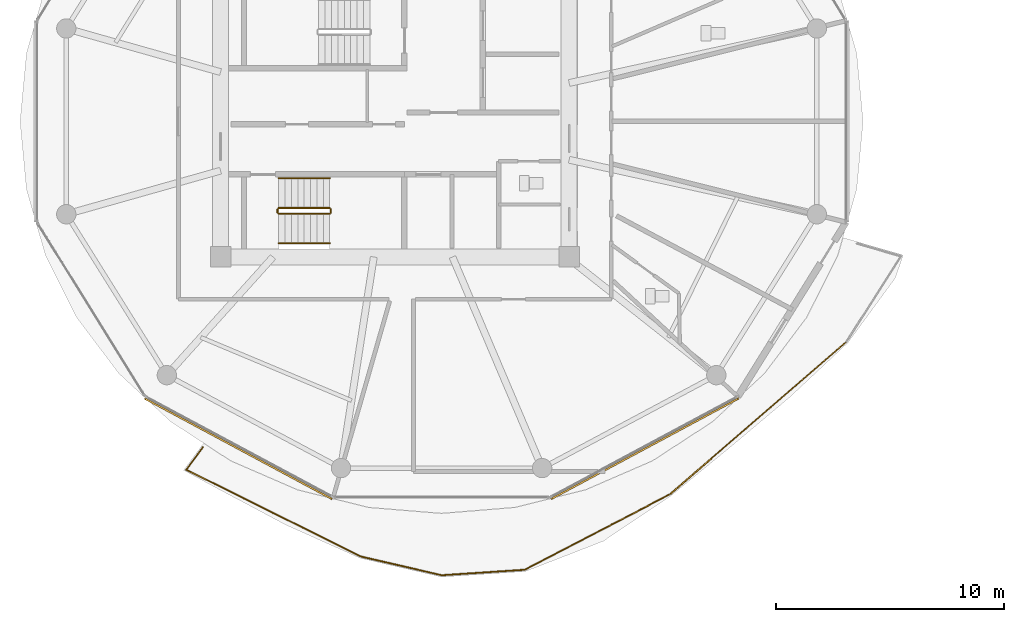
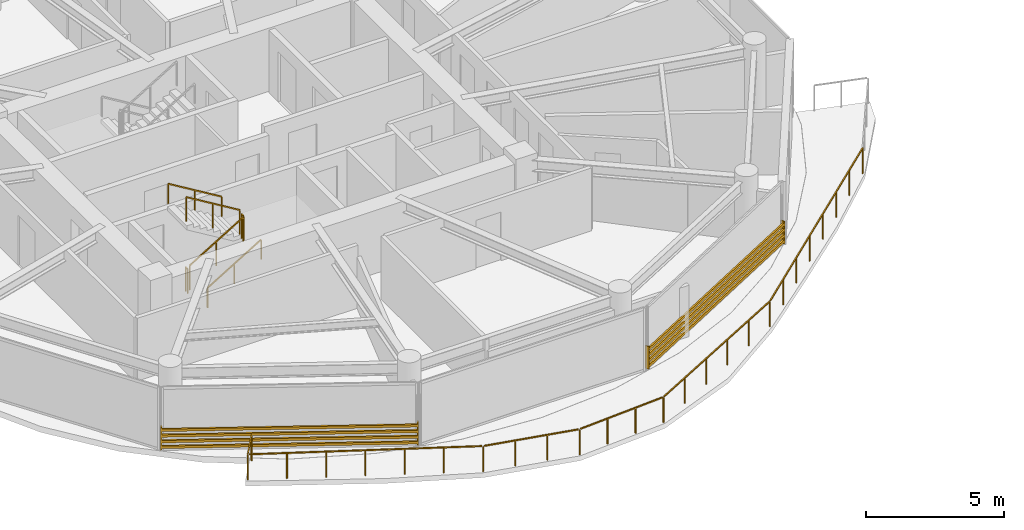
# One storey, part 19 of 24: 7 railings, 2 shading devices.
"""IFC4 building model written with IfcOpenShell, lengths in metres."""

from ifc_helpers import new_model, si_unit, direction, frame, origin, origin_2d, place, context, subcontext, project, spatial, rectangle, extrude, source, transform, mapped, material, type_object, type_shapes, element, save


model = new_model("IFC4")

# Units and contexts
model_context = context("Model", 3, precision=1e-05, world=origin(), true_north=direction((0.0, 1.0)))
body_context = subcontext(model_context, "Body", "Model", "MODEL_VIEW")
ifc_project = project(units=[si_unit("LENGTHUNIT", "METRE"), si_unit("AREAUNIT", "SQUARE_METRE"), si_unit("VOLUMEUNIT", "CUBIC_METRE"), si_unit("PLANEANGLEUNIT", "RADIAN"), si_unit("MASSUNIT", "GRAM", prefix="KILO")], contexts=[model_context])

# Site, building, storey
site_placement = place(None, origin())
site = spatial("IfcSite", under=ifc_project, at=site_placement, CompositionType="ELEMENT")
building_placement = place(site_placement, origin())
building = spatial("IfcBuilding", under=site, at=building_placement, Name="Norrkilde Senior Care Towers", CompositionType="ELEMENT")
storey_placement = place(building_placement, frame((0.0, 0.0, 114.550048828125)))
storey = spatial("IfcBuildingStorey", under=building, at=storey_placement, Name="L35", CompositionType="ELEMENT", Elevation=114.550048828125)

# Railings
ifc_material_1 = material(Name="Anodised Aluminium", Category="aluminium")
railing_type_1 = type_object("IfcRailingType", Name="Balcony Swirl Ribbon Guardrail 1150", PredefinedType="GUARDRAIL", material=ifc_material_1)
railing_1_placement = place(storey_placement, frame((-8.183349609375, -9.667724609375, 0.0)))
element("IfcRailing", 1, at=railing_1_placement, inside=storey, type_object=railing_type_1, Name="L35 Perimeter Safety Guard 03", PredefinedType="GUARDRAIL", context=body_context, shape_type="SweptSolid", body=[
    extrude(rectangle(XDim=0.048095703125, YDim=0.048095703125, at=origin_2d()), frame((0.0, 0.0, 1.1259765625), z_axis=(-0.756449604016, -0.65405198309, 0.0), x_axis=(0.65405198309, -0.756449604016, 0.0)), (0.0, 0.0, 1.0), 10.194580078125),
    extrude(rectangle(XDim=0.048095703125, YDim=0.048095703125, at=origin_2d()), frame((-7.779052734375, -6.71337890625, 1.1259765625), z_axis=(-0.887107067498, -0.461563701773, 0.0), x_axis=(0.461563701773, -0.887107067498, 0.0)), (0.0, 0.0, 1.0), 7.095947265625),
    extrude(rectangle(XDim=0.048095703125, YDim=0.048095703125, at=origin_2d()), frame((-14.15087890625, -10.01025390625, 1.1259765625), z_axis=(-0.997840916073, -0.065677288389, 0.0), x_axis=(0.065677288389, -0.997840916073, 0.0)), (0.0, 0.0, 1.0), 3.575927734375),
    extrude(rectangle(XDim=0.048095703125, YDim=0.048095703125, at=origin_2d()), frame((-17.7998046875, -10.238525390625, 1.1259765625), z_axis=(-0.974276177623, 0.225357337834, 0.0), x_axis=(-0.225357337834, -0.974276177623, 0.0)), (0.0, 0.0, 1.0), 3.5712890625),
    extrude(rectangle(XDim=0.048095703125, YDim=0.048095703125, at=origin_2d()), frame((-21.355712890625, -9.40625, 1.1259765625), z_axis=(-0.895151711702, 0.445761610098, 0.0), x_axis=(-0.445761610098, -0.895151711702, 0.0)), (0.0, 0.0, 1.0), 8.46337890625),
    extrude(rectangle(XDim=0.048095703125, YDim=0.048095703125, at=origin_2d()), frame((-28.94384765625, -5.58251953125, 1.1259765625), z_axis=(0.59453833612, 0.804067265149, 0.0), x_axis=(-0.804067265149, 0.59453833612, 0.0)), (0.0, 0.0, 1.0), 1.1708984375),
    extrude(rectangle(XDim=0.0419921875, YDim=0.0419921875, at=origin_2d()), origin(), (0.0, 0.0, 1.0), 1.099853515625),
    extrude(rectangle(XDim=0.0419921875, YDim=0.0419921875, at=origin_2d()), frame((-1.106201171875, -0.956298828125, 0.0)), (0.0, 0.0, 1.0), 1.099853515625),
    extrude(rectangle(XDim=0.0419921875, YDim=0.0419921875, at=origin_2d()), frame((-2.212158203125, -1.912841796875, 0.0)), (0.0, 0.0, 1.0), 1.099853515625),
    extrude(rectangle(XDim=0.0419921875, YDim=0.0419921875, at=origin_2d()), frame((-3.318359375, -2.869140625, 0.0)), (0.0, 0.0, 1.0), 1.099853515625),
    extrude(rectangle(XDim=0.0419921875, YDim=0.0419921875, at=origin_2d()), frame((-4.42431640625, -3.825439453125, 0.0)), (0.0, 0.0, 1.0), 1.099853515625),
    extrude(rectangle(XDim=0.0419921875, YDim=0.0419921875, at=origin_2d()), frame((-5.530517578125, -4.78173828125, 0.0)), (0.0, 0.0, 1.0), 1.099853515625),
    extrude(rectangle(XDim=0.0419921875, YDim=0.0419921875, at=origin_2d()), frame((-6.636474609375, -5.73828125, 0.0)), (0.0, 0.0, 1.0), 1.099853515625),
    extrude(rectangle(XDim=0.0419921875, YDim=0.0419921875, at=origin_2d()), frame((-7.74267578125, -6.694580078125, 0.0)), (0.0, 0.0, 1.0), 1.099853515625),
    extrude(rectangle(XDim=0.0419921875, YDim=0.0419921875, at=origin_2d()), frame((-9.01611328125, -7.357177734375, 0.0)), (0.0, 0.0, 1.0), 1.099853515625),
    extrude(rectangle(XDim=0.0419921875, YDim=0.0419921875, at=origin_2d()), frame((-10.28955078125, -8.019775390625, 0.0)), (0.0, 0.0, 1.0), 1.099853515625),
    extrude(rectangle(XDim=0.0419921875, YDim=0.0419921875, at=origin_2d()), frame((-11.563232421875, -8.682373046875, 0.0)), (0.0, 0.0, 1.0), 1.099853515625),
    extrude(rectangle(XDim=0.0419921875, YDim=0.0419921875, at=origin_2d()), frame((-12.836669921875, -9.344970703125, 0.0)), (0.0, 0.0, 1.0), 1.099853515625),
    extrude(rectangle(XDim=0.0419921875, YDim=0.0419921875, at=origin_2d()), frame((-14.110107421875, -10.007568359375, 0.0)), (0.0, 0.0, 1.0), 1.099853515625),
    extrude(rectangle(XDim=0.0419921875, YDim=0.0419921875, at=origin_2d()), frame((-15.32666015625, -10.087646484375, 0.0)), (0.0, 0.0, 1.0), 1.099853515625),
    extrude(rectangle(XDim=0.0419921875, YDim=0.0419921875, at=origin_2d()), frame((-16.54345703125, -10.167724609375, 0.0)), (0.0, 0.0, 1.0), 1.099853515625),
    extrude(rectangle(XDim=0.0419921875, YDim=0.0419921875, at=origin_2d()), frame((-17.760009765625, -10.247802734375, 0.0)), (0.0, 0.0, 1.0), 1.099853515625),
    extrude(rectangle(XDim=0.0419921875, YDim=0.0419921875, at=origin_2d()), frame((-18.9462890625, -9.973388671875, 0.0)), (0.0, 0.0, 1.0), 1.099853515625),
    extrude(rectangle(XDim=0.0419921875, YDim=0.0419921875, at=origin_2d()), frame((-20.1328125, -9.698974609375, 0.0)), (0.0, 0.0, 1.0), 1.099853515625),
    extrude(rectangle(XDim=0.0419921875, YDim=0.0419921875, at=origin_2d()), frame((-21.319091796875, -9.424560546875, 0.0)), (0.0, 0.0, 1.0), 1.099853515625),
    extrude(rectangle(XDim=0.0419921875, YDim=0.0419921875, at=origin_2d()), frame((-22.593994140625, -8.789794921875, 0.0)), (0.0, 0.0, 1.0), 1.099853515625),
    extrude(rectangle(XDim=0.0419921875, YDim=0.0419921875, at=origin_2d()), frame((-23.868896484375, -8.15478515625, 0.0)), (0.0, 0.0, 1.0), 1.099853515625),
    extrude(rectangle(XDim=0.0419921875, YDim=0.0419921875, at=origin_2d()), frame((-25.1435546875, -7.52001953125, 0.0)), (0.0, 0.0, 1.0), 1.099853515625),
    extrude(rectangle(XDim=0.0419921875, YDim=0.0419921875, at=origin_2d()), frame((-26.41845703125, -6.88525390625, 0.0)), (0.0, 0.0, 1.0), 1.099853515625),
    extrude(rectangle(XDim=0.0419921875, YDim=0.0419921875, at=origin_2d()), frame((-27.693359375, -6.250244140625, 0.0)), (0.0, 0.0, 1.0), 1.099853515625),
    extrude(rectangle(XDim=0.0419921875, YDim=0.0419921875, at=origin_2d()), frame((-28.96826171875, -5.615478515625, 0.0)), (0.0, 0.0, 1.0), 1.099853515625),
    extrude(rectangle(XDim=0.0419921875, YDim=0.0419921875, at=origin_2d()), frame((-28.247802734375, -4.64111328125, 0.0)), (0.0, 0.0, 1.0), 1.099853515625),
])
ifc_material_2 = material(Name="Stainless Steel", Category="steel")
railing_type_2 = type_object("IfcRailingType", Name="Stair and Terrace Guardrail 1100", PredefinedType="GUARDRAIL", material=ifc_material_2)
railing_2_placement = place(storey_placement, frame((-33.10009765625, -4.050048828125, 0.16943359375)))
element("IfcRailing", 2, at=railing_2_placement, inside=storey, type_object=railing_type_2, Name="L35 ST-W2 stair guard 1", PredefinedType="GUARDRAIL", context=body_context, shape_type="SweptSolid", body=[
    extrude(rectangle(XDim=0.048095703125, YDim=0.048095703125, at=origin_2d()), frame((0.0, 0.0, 1.076171875), z_axis=(0.855553338991, 0.0, 0.51771467445), x_axis=(0.0, 1.0, 0.0)), (0.0, 0.0, 1.0), 2.6181640625),
    extrude(rectangle(XDim=0.0419921875, YDim=0.0419921875, at=origin_2d()), origin(), (0.0, 0.0, 1.0), 1.050048828125),
    extrude(rectangle(XDim=0.0419921875, YDim=0.0419921875, at=origin_2d()), frame((1.1201171875, 0.0, 0.677734375)), (0.0, 0.0, 1.0), 1.050048828125),
    extrude(rectangle(XDim=0.0419921875, YDim=0.0419921875, at=origin_2d()), frame((2.239990234375, 0.0, 1.35546875)), (0.0, 0.0, 1.0), 1.050048828125),
])
railing_3_placement = place(storey_placement, frame((-30.81005859375, -4.0, 1.52490234375)))
element("IfcRailing", 3, at=railing_3_placement, inside=storey, type_object=railing_type_2, Name="L35 ST-W2 stair guard 2", PredefinedType="GUARDRAIL", context=body_context, shape_type="SweptSolid", body=[
    extrude(rectangle(XDim=0.048095703125, YDim=0.048095703125, at=origin_2d()), frame((0.0, 0.0, 1.076171875), z_axis=(0.0, 1.0, 0.0), x_axis=(-1.0, 0.0, 0.0)), (0.0, 0.0, 1.0), 0.14990234375),
    extrude(rectangle(XDim=0.0419921875, YDim=0.0419921875, at=origin_2d()), origin(), (0.0, 0.0, 1.0), 1.050048828125),
    extrude(rectangle(XDim=0.0419921875, YDim=0.0419921875, at=origin_2d()), frame((0.0, 0.14990234375, 0.0)), (0.0, 0.0, 1.0), 1.050048828125),
])
railing_4_placement = place(storey_placement, frame((-30.860107421875, -3.800048828125, 1.6943359375)))
element("IfcRailing", 4, at=railing_4_placement, inside=storey, type_object=railing_type_2, Name="L35 ST-W2 stair guard 3", PredefinedType="GUARDRAIL", context=body_context, shape_type="SweptSolid", body=[
    extrude(rectangle(XDim=0.048095703125, YDim=0.048095703125, at=origin_2d()), frame((0.0, 0.0, 1.076171875), z_axis=(-0.855512035549, 0.0, 0.517782924622), x_axis=(0.0, -1.0, 0.0)), (0.0, 0.0, 1.0), 2.618408203125),
    extrude(rectangle(XDim=0.0419921875, YDim=0.0419921875, at=origin_2d()), origin(), (0.0, 0.0, 1.0), 1.050048828125),
    extrude(rectangle(XDim=0.0419921875, YDim=0.0419921875, at=origin_2d()), frame((-1.1201171875, 0.0, 0.677734375)), (0.0, 0.0, 1.0), 1.050048828125),
    extrude(rectangle(XDim=0.0419921875, YDim=0.0419921875, at=origin_2d()), frame((-2.239990234375, 0.0, 1.355712890625)), (0.0, 0.0, 1.0), 1.050048828125),
])
railing_5_placement = place(storey_placement, frame((-33.14990234375, -4.0, 0.0)))
element("IfcRailing", 5, at=railing_5_placement, inside=storey, type_object=railing_type_2, Name="L35 ST-W2 stair guard 4", PredefinedType="GUARDRAIL", context=body_context, shape_type="SweptSolid", body=[
    extrude(rectangle(XDim=0.048095703125, YDim=0.048095703125, at=origin_2d()), frame((0.0, 0.0, 1.076171875), z_axis=(0.0, 1.0, 0.0), x_axis=(-1.0, 0.0, 0.0)), (0.0, 0.0, 1.0), 0.14990234375),
    extrude(rectangle(XDim=0.0419921875, YDim=0.0419921875, at=origin_2d()), origin(), (0.0, 0.0, 1.0), 1.050048828125),
    extrude(rectangle(XDim=0.0419921875, YDim=0.0419921875, at=origin_2d()), frame((0.0, 0.14990234375, 0.0)), (0.0, 0.0, 1.0), 1.050048828125),
])
ifc_material_3 = material(Name="Nordic Ash Timber", Category="wood")
railing_type_3 = type_object("IfcRailingType", Name="Wall and Stair Handrail 900", PredefinedType="HANDRAIL", material=ifc_material_3)
railing_6_placement = place(storey_placement, frame((-33.10009765625, -5.35009765625, 0.16943359375)))
element("IfcRailing", 6, at=railing_6_placement, inside=storey, type_object=railing_type_3, Name="L35 ST-W2 stair handrail 1", PredefinedType="HANDRAIL", context=body_context, shape_type="SweptSolid", body=[
    extrude(rectangle(XDim=0.048095703125, YDim=0.048095703125, at=origin_2d()), frame((0.0, 0.0, 0.8759765625), z_axis=(0.855553338991, 0.0, 0.51771467445), x_axis=(0.0, 1.0, 0.0)), (0.0, 0.0, 1.0), 2.6181640625),
    extrude(rectangle(XDim=0.0419921875, YDim=0.0419921875, at=origin_2d()), origin(), (0.0, 0.0, 1.0), 0.849853515625),
    extrude(rectangle(XDim=0.0419921875, YDim=0.0419921875, at=origin_2d()), frame((1.1201171875, 0.0, 0.677734375)), (0.0, 0.0, 1.0), 0.849853515625),
    extrude(rectangle(XDim=0.0419921875, YDim=0.0419921875, at=origin_2d()), frame((2.239990234375, 0.0, 1.35546875)), (0.0, 0.0, 1.0), 0.849853515625),
])
railing_7_placement = place(storey_placement, frame((-30.860107421875, -2.5, 1.6943359375)))
element("IfcRailing", 7, at=railing_7_placement, inside=storey, type_object=railing_type_3, Name="L35 ST-W2 stair handrail 2", PredefinedType="HANDRAIL", context=body_context, shape_type="SweptSolid", body=[
    extrude(rectangle(XDim=0.048095703125, YDim=0.048095703125, at=origin_2d()), frame((0.0, 0.0, 0.8759765625), z_axis=(-0.855512035549, 0.0, 0.517782924622), x_axis=(0.0, -1.0, 0.0)), (0.0, 0.0, 1.0), 2.618408203125),
    extrude(rectangle(XDim=0.0419921875, YDim=0.0419921875, at=origin_2d()), origin(), (0.0, 0.0, 1.0), 0.849853515625),
    extrude(rectangle(XDim=0.0419921875, YDim=0.0419921875, at=origin_2d()), frame((-1.1201171875, 0.0, 0.677734375)), (0.0, 0.0, 1.0), 0.849853515625),
    extrude(rectangle(XDim=0.0419921875, YDim=0.0419921875, at=origin_2d()), frame((-2.239990234375, 0.0, 1.355712890625)), (0.0, 0.0, 1.0), 0.849853515625),
])

# Shading devices
ifc_material_4 = material(Name="Architectural Terracotta", Category="masonry")
shading_device_type = type_object("IfcShadingDeviceType", Name="Horizontal Terracotta Baguette Rack", PredefinedType="USERDEFINED", material=ifc_material_4)
shared_shape = source(origin(), body_context, "Body", "SweptSolid", [
    extrude(rectangle(XDim=0.070068359375, YDim=0.110107421875, at=origin_2d()), frame((0.0, 0.090087890625, 0.125), z_axis=(1.0, 0.0, 0.0), x_axis=(0.0, 1.0, 0.0)), (0.0, 0.0, 1.0), 9.3505859375),
    extrude(rectangle(XDim=0.070068359375, YDim=0.110107421875, at=origin_2d()), frame((0.0, 0.090087890625, 0.375), z_axis=(1.0, 0.0, 0.0), x_axis=(0.0, 1.0, 0.0)), (0.0, 0.0, 1.0), 9.3505859375),
    extrude(rectangle(XDim=0.070068359375, YDim=0.110107421875, at=origin_2d()), frame((0.0, 0.090087890625, 0.625), z_axis=(1.0, 0.0, 0.0), x_axis=(0.0, 1.0, 0.0)), (0.0, 0.0, 1.0), 9.3505859375),
    extrude(rectangle(XDim=0.070068359375, YDim=0.110107421875, at=origin_2d()), frame((0.0, 0.090087890625, 0.875), z_axis=(1.0, 0.0, 0.0), x_axis=(0.0, 1.0, 0.0)), (0.0, 0.0, 1.0), 9.3505859375),
    extrude(rectangle(XDim=0.050048828125, YDim=0.1552734375, at=origin_2d()), frame((0.02490234375, 0.047607421875, 0.0)), (0.0, 0.0, 1.0), 1.0),
    extrude(rectangle(XDim=0.050048828125, YDim=0.1552734375, at=origin_2d()), frame((9.32568359375, 0.047607421875, 0.0)), (0.0, 0.0, 1.0), 1.0),
])
type_shapes(shading_device_type, [shared_shape])
for number, where, z_axis, x_axis, name in (
    (8, (-30.70703125, -16.498046875, 0.079833984375), (0.0, 0.0, 1.0), (-0.881174934726, 0.472767624021, 0.0), "L35 Drum W Terracotta Baguette Screen 07"),
    (9, (-12.953369140625, -12.077392578125, 0.079833984375), (0.0, 0.0, 1.0), (-0.881174934726, -0.472767624021, 0.0), "L35 Drum W Terracotta Baguette Screen 09"),
):
    element("IfcShadingDevice", number, at=place(storey_placement, frame(where, z_axis=z_axis, x_axis=x_axis)), inside=storey, type_object=shading_device_type, Name=name, ObjectType="BAGUETTE", PredefinedType="USERDEFINED", context=body_context, shape_type="MappedRepresentation", body=[
        mapped(shared_shape, transform((0.0, 0.0, 0.0), x_axis=(1.0, 0.0, 0.0), y_axis=(0.0, 1.0, 0.0), z_axis=(0.0, 0.0, 1.0), scale=1.0)),
    ])

save(model, "model.ifc")
